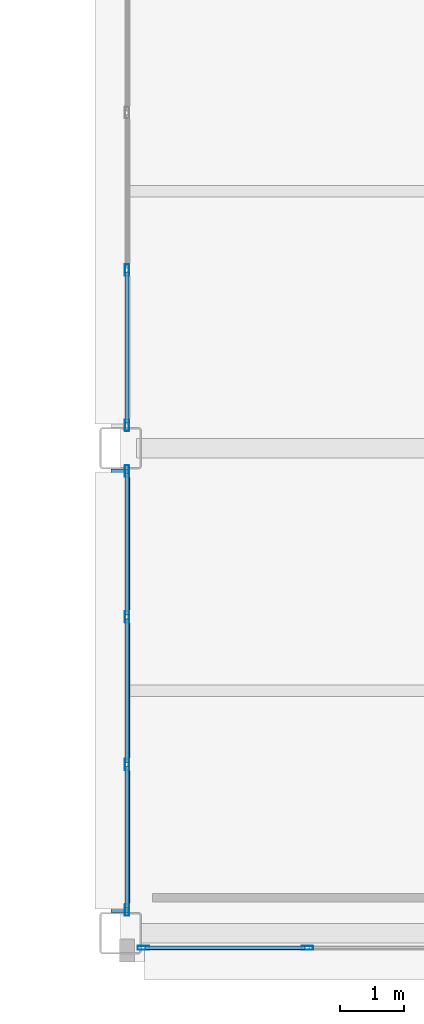
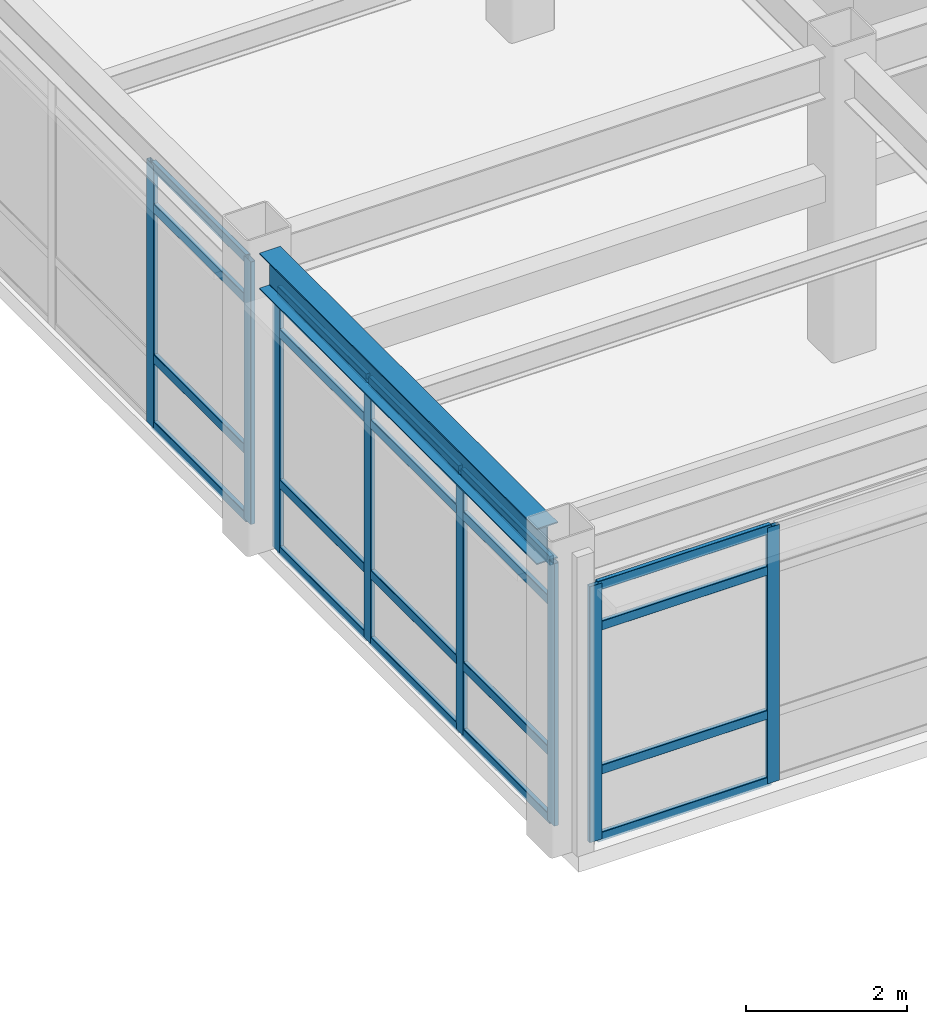
# One storey, part 45 of 93: 28 members, 1 beam, 3 elements without a shape of their own.
"""IFC4 building model written with IfcOpenShell, lengths in metres."""

from ifc_helpers import new_model, si_unit, direction, frame, origin, origin_2d, place, context, subcontext, project, spatial, hollow_rectangle, i_section, extrude, material, layer, layer_set, material_profile, profile_set, type_object, element, aggregate, save


model = new_model("IFC4")

# Units and contexts
model_context = context("Model", 3, precision=1e-05, world=origin(), true_north=direction((0.0, 1.0)))
body_context = subcontext(model_context, "Body", "Model", "MODEL_VIEW")
ifc_project = project(units=[si_unit("LENGTHUNIT", "METRE"), si_unit("AREAUNIT", "SQUARE_METRE"), si_unit("VOLUMEUNIT", "CUBIC_METRE"), si_unit("PLANEANGLEUNIT", "RADIAN"), si_unit("MASSUNIT", "GRAM", prefix="KILO")], contexts=[model_context])

# Site, building, storey
site_placement = place(None, origin())
site = spatial("IfcSite", under=ifc_project, at=site_placement, CompositionType="ELEMENT")
building_placement = place(site_placement, origin())
building = spatial("IfcBuilding", under=site, at=building_placement, Name="Kazehara Bluff Congress Hotel", CompositionType="ELEMENT")
storey_placement = place(building_placement, frame((0.0, 0.0, 15.0)))
storey = spatial("IfcBuildingStorey", under=building, at=storey_placement, Name="L03", CompositionType="ELEMENT", Elevation=15.0)

# Curtain wall, members
ifc_material_1 = material(Name="Anodised aluminium", Category="aluminium")
ifc_layer_1 = layer(ifc_material_1, 0.159912109375)
ifc_layer_set_1 = layer_set([ifc_layer_1], Name="Anodised aluminium")
curtain_wall_type_1 = type_object("IfcCurtainWallType", Name="TP-CW-24", PredefinedType="NOTDEFINED", material=ifc_layer_set_1)
curtain_wall_1_placement = place(storey_placement, origin())
curtain_wall_1 = element("IfcCurtainWall", 1, at=curtain_wall_1_placement, inside=storey, type_object=curtain_wall_type_1, Name="L03 curtain wall CW-24 CW-ENC-V5-L03-14790-22", PredefinedType="NOTDEFINED")
ifc_material_2 = material(Name="Anodised aluminium", Category="aluminium")
ifc_material_profile_1 = material_profile(ifc_material_2, hollow_rectangle(XDim=0.06494140625, YDim=0.179931640625, WallThickness=0.00390625, InnerFilletRadius=0.00390625, OuterFilletRadius=0.008056640625, at=origin_2d()))
ifc_profile_set_1 = profile_set([ifc_material_profile_1], Name="Anodised aluminium")
member_type_1 = type_object("IfcMemberType", Name="TP-CWM-02", PredefinedType="MULLION", material=ifc_profile_set_1)
member_1_placement = place(storey_placement, frame((146.6083984375, 0.219970703125, 0.0), z_axis=(0.0, 0.0, 1.0), x_axis=(0.0, -1.0, 0.0)))
member_1 = element("IfcMember", 2, at=member_1_placement, type_object=member_type_1, Name="CW-24 mullion 3", PredefinedType="MULLION", context=body_context, shape_type="SweptSolid", body=[
    extrude(hollow_rectangle(XDim=0.06494140625, YDim=0.179931640625, WallThickness=0.00390625, InnerFilletRadius=0.00390625, OuterFilletRadius=0.008056640625, at=origin_2d()), origin(), (0.0, 0.0, 1.0), 3.885009765625),
])
member_2_placement = place(storey_placement, frame((144.0576171875, 0.219970703125, 0.0), z_axis=(0.0, 0.0, 1.0), x_axis=(0.0, -1.0, 0.0)))
member_2 = element("IfcMember", 3, at=member_2_placement, type_object=member_type_1, Name="CW-24 mullion 4", PredefinedType="MULLION", context=body_context, shape_type="SweptSolid", body=[
    extrude(hollow_rectangle(XDim=0.06494140625, YDim=0.179931640625, WallThickness=0.00390625, InnerFilletRadius=0.00390625, OuterFilletRadius=0.008056640625, at=origin_2d()), origin(), (0.0, 0.0, 1.0), 3.885009765625),
])

ifc_material_3 = material(Name="Anodised aluminium", Category="aluminium")
ifc_layer_2 = layer(ifc_material_3, 0.159912109375)
ifc_layer_set_2 = layer_set([ifc_layer_2], Name="Anodised aluminium")
curtain_wall_type_2 = type_object("IfcCurtainWallType", Name="TP-CW-152", PredefinedType="NOTDEFINED", material=ifc_layer_set_2)
curtain_wall_2_placement = place(storey_placement, origin())
curtain_wall_2 = element("IfcCurtainWall", 4, at=curtain_wall_2_placement, inside=storey, type_object=curtain_wall_type_2, Name="L03 curtain wall CW-152 CW-ENC-V5-L03-14380-422", PredefinedType="NOTDEFINED")
member_3_placement = place(storey_placement, frame((143.800048828125, 0.8076171875, 0.0), z_axis=(0.0, 0.0, 1.0), x_axis=(-1.0, 0.0, 0.0)))
member_3 = element("IfcMember", 5, at=member_3_placement, type_object=member_type_1, Name="CW-152 mullion 1", PredefinedType="MULLION", context=body_context, shape_type="SweptSolid", body=[
    extrude(hollow_rectangle(XDim=0.06494140625, YDim=0.179931640625, WallThickness=0.00390625, InnerFilletRadius=0.00390625, OuterFilletRadius=0.008056640625, at=origin_2d()), origin(), (0.0, 0.0, 1.0), 3.985107421875),
])
member_4_placement = place(storey_placement, frame((143.800048828125, 3.074951171875, 0.0), z_axis=(0.0, 0.0, 1.0), x_axis=(-1.0, 0.0, 0.0)))
member_4 = element("IfcMember", 6, at=member_4_placement, type_object=member_type_1, Name="CW-152 mullion 2", PredefinedType="MULLION", context=body_context, shape_type="SweptSolid", body=[
    extrude(hollow_rectangle(XDim=0.06494140625, YDim=0.179931640625, WallThickness=0.00390625, InnerFilletRadius=0.00390625, OuterFilletRadius=0.008056640625, at=origin_2d()), origin(), (0.0, 0.0, 1.0), 3.985107421875),
])
member_5_placement = place(storey_placement, frame((143.800048828125, 5.375, 0.0), z_axis=(0.0, 0.0, 1.0), x_axis=(-1.0, 0.0, 0.0)))
member_5 = element("IfcMember", 7, at=member_5_placement, type_object=member_type_1, Name="CW-152 mullion 3", PredefinedType="MULLION", context=body_context, shape_type="SweptSolid", body=[
    extrude(hollow_rectangle(XDim=0.06494140625, YDim=0.179931640625, WallThickness=0.00390625, InnerFilletRadius=0.00390625, OuterFilletRadius=0.008056640625, at=origin_2d()), origin(), (0.0, 0.0, 1.0), 3.985107421875),
])
member_6_placement = place(storey_placement, frame((143.800048828125, 7.642578125, 0.0), z_axis=(0.0, 0.0, 1.0), x_axis=(-1.0, 0.0, 0.0)))
member_6 = element("IfcMember", 8, at=member_6_placement, type_object=member_type_1, Name="CW-152 mullion 4", PredefinedType="MULLION", context=body_context, shape_type="SweptSolid", body=[
    extrude(hollow_rectangle(XDim=0.06494140625, YDim=0.179931640625, WallThickness=0.00390625, InnerFilletRadius=0.00390625, OuterFilletRadius=0.008056640625, at=origin_2d()), origin(), (0.0, 0.0, 1.0), 3.985107421875),
])

ifc_material_4 = material(Name="Anodised aluminium", Category="aluminium")
ifc_layer_3 = layer(ifc_material_4, 0.159912109375)
ifc_layer_set_3 = layer_set([ifc_layer_3], Name="Anodised aluminium")
curtain_wall_type_3 = type_object("IfcCurtainWallType", Name="TP-CW-153", PredefinedType="NOTDEFINED", material=ifc_layer_set_3)
curtain_wall_3_placement = place(storey_placement, origin())
curtain_wall_3 = element("IfcCurtainWall", 9, at=curtain_wall_3_placement, inside=storey, type_object=curtain_wall_type_3, Name="L03 curtain wall CW-153 CW-ENC-V5-L03-14380-1200", PredefinedType="NOTDEFINED")
member_7_placement = place(storey_placement, frame((143.800048828125, 8.357421875, 0.0), z_axis=(0.0, 0.0, 1.0), x_axis=(-1.0, 0.0, 0.0)))
member_7 = element("IfcMember", 10, at=member_7_placement, type_object=member_type_1, Name="CW-153 mullion 1", PredefinedType="MULLION", context=body_context, shape_type="SweptSolid", body=[
    extrude(hollow_rectangle(XDim=0.06494140625, YDim=0.179931640625, WallThickness=0.00390625, InnerFilletRadius=0.00390625, OuterFilletRadius=0.008056640625, at=origin_2d()), origin(), (0.0, 0.0, 1.0), 3.985107421875),
])
member_8_placement = place(storey_placement, frame((143.800048828125, 10.77490234375, 0.0), z_axis=(0.0, 0.0, 1.0), x_axis=(-1.0, 0.0, 0.0)))
member_8 = element("IfcMember", 11, at=member_8_placement, type_object=member_type_1, Name="CW-153 mullion 2", PredefinedType="MULLION", context=body_context, shape_type="SweptSolid", body=[
    extrude(hollow_rectangle(XDim=0.06494140625, YDim=0.179931640625, WallThickness=0.00390625, InnerFilletRadius=0.00390625, OuterFilletRadius=0.008056640625, at=origin_2d()), origin(), (0.0, 0.0, 1.0), 3.985107421875),
])

# Member
ifc_material_5 = material(Name="Anodised aluminium", Category="aluminium")
ifc_material_profile_2 = material_profile(ifc_material_5, hollow_rectangle(XDim=0.06494140625, YDim=0.139892578125, WallThickness=0.00390625, InnerFilletRadius=0.00390625, OuterFilletRadius=0.008056640625, at=origin_2d()))
ifc_profile_set_2 = profile_set([ifc_material_profile_2], Name="Anodised aluminium")
member_type_2 = type_object("IfcMemberType", Name="TP-CWT-02", PredefinedType="USERDEFINED", material=ifc_profile_set_2)
member_9_placement = place(storey_placement, frame((146.575927734375, 0.219970703125, 0.032470703125), z_axis=(-1.0, 0.0, 0.0), x_axis=(0.0, -1.0, 0.0)))
member_9 = element("IfcMember", 12, at=member_9_placement, type_object=member_type_2, Name="CW-24 transom 3.1", ObjectType="TRANSOM", PredefinedType="USERDEFINED", context=body_context, shape_type="SweptSolid", body=[
    extrude(hollow_rectangle(XDim=0.06494140625, YDim=0.139892578125, WallThickness=0.00390625, InnerFilletRadius=0.00390625, OuterFilletRadius=0.008056640625, at=origin_2d()), origin(), (0.0, 0.0, 1.0), 2.48583984375),
])

member_10_placement = place(storey_placement, frame((146.575927734375, 0.219970703125, 1.050048828125), z_axis=(-1.0, 0.0, 0.0), x_axis=(0.0, -1.0, 0.0)))
member_10 = element("IfcMember", 13, at=member_10_placement, type_object=member_type_2, Name="CW-24 transom 3.2", ObjectType="TRANSOM", PredefinedType="USERDEFINED", context=body_context, shape_type="SweptSolid", body=[
    extrude(hollow_rectangle(XDim=0.06494140625, YDim=0.139892578125, WallThickness=0.00390625, InnerFilletRadius=0.00390625, OuterFilletRadius=0.008056640625, at=origin_2d()), origin(), (0.0, 0.0, 1.0), 2.48583984375),
])

member_11_placement = place(storey_placement, frame((146.575927734375, 0.219970703125, 3.235107421875), z_axis=(-1.0, 0.0, 0.0), x_axis=(0.0, -1.0, 0.0)))
member_11 = element("IfcMember", 14, at=member_11_placement, type_object=member_type_2, Name="CW-24 transom 3.3", ObjectType="TRANSOM", PredefinedType="USERDEFINED", context=body_context, shape_type="SweptSolid", body=[
    extrude(hollow_rectangle(XDim=0.06494140625, YDim=0.139892578125, WallThickness=0.00390625, InnerFilletRadius=0.00390625, OuterFilletRadius=0.008056640625, at=origin_2d()), origin(), (0.0, 0.0, 1.0), 2.48583984375),
])

member_12_placement = place(storey_placement, frame((146.575927734375, 0.219970703125, 3.8525390625), z_axis=(-1.0, 0.0, 0.0), x_axis=(0.0, -1.0, 0.0)))
member_12 = element("IfcMember", 15, at=member_12_placement, type_object=member_type_2, Name="CW-24 transom 3.4", ObjectType="TRANSOM", PredefinedType="USERDEFINED", context=body_context, shape_type="SweptSolid", body=[
    extrude(hollow_rectangle(XDim=0.06494140625, YDim=0.139892578125, WallThickness=0.00390625, InnerFilletRadius=0.00390625, OuterFilletRadius=0.008056640625, at=origin_2d()), origin(), (0.0, 0.0, 1.0), 2.48583984375),
])

aggregate(curtain_wall_1, [member_1, member_2, member_9, member_10, member_11, member_12])

member_13_placement = place(storey_placement, frame((143.800048828125, 0.840087890625, 0.032470703125), z_axis=(0.0, 1.0, 0.0), x_axis=(-1.0, 0.0, 0.0)))
member_13 = element("IfcMember", 16, at=member_13_placement, type_object=member_type_2, Name="CW-152 transom 1.1", ObjectType="TRANSOM", PredefinedType="USERDEFINED", context=body_context, shape_type="SweptSolid", body=[
    extrude(hollow_rectangle(XDim=0.06494140625, YDim=0.139892578125, WallThickness=0.00390625, InnerFilletRadius=0.00390625, OuterFilletRadius=0.008056640625, at=origin_2d()), origin(), (0.0, 0.0, 1.0), 2.202392578125),
])

member_14_placement = place(storey_placement, frame((143.800048828125, 0.840087890625, 1.050048828125), z_axis=(0.0, 1.0, 0.0), x_axis=(-1.0, 0.0, 0.0)))
member_14 = element("IfcMember", 17, at=member_14_placement, type_object=member_type_2, Name="CW-152 transom 1.2", ObjectType="TRANSOM", PredefinedType="USERDEFINED", context=body_context, shape_type="SweptSolid", body=[
    extrude(hollow_rectangle(XDim=0.06494140625, YDim=0.139892578125, WallThickness=0.00390625, InnerFilletRadius=0.00390625, OuterFilletRadius=0.008056640625, at=origin_2d()), origin(), (0.0, 0.0, 1.0), 2.202392578125),
])

member_15_placement = place(storey_placement, frame((143.800048828125, 0.840087890625, 3.3349609375), z_axis=(0.0, 1.0, 0.0), x_axis=(-1.0, 0.0, 0.0)))
member_15 = element("IfcMember", 18, at=member_15_placement, type_object=member_type_2, Name="CW-152 transom 1.3", ObjectType="TRANSOM", PredefinedType="USERDEFINED", context=body_context, shape_type="SweptSolid", body=[
    extrude(hollow_rectangle(XDim=0.06494140625, YDim=0.139892578125, WallThickness=0.00390625, InnerFilletRadius=0.00390625, OuterFilletRadius=0.008056640625, at=origin_2d()), origin(), (0.0, 0.0, 1.0), 2.202392578125),
])

member_16_placement = place(storey_placement, frame((143.800048828125, 0.840087890625, 3.952392578125), z_axis=(0.0, 1.0, 0.0), x_axis=(-1.0, 0.0, 0.0)))
member_16 = element("IfcMember", 19, at=member_16_placement, type_object=member_type_2, Name="CW-152 transom 1.4", ObjectType="TRANSOM", PredefinedType="USERDEFINED", context=body_context, shape_type="SweptSolid", body=[
    extrude(hollow_rectangle(XDim=0.06494140625, YDim=0.139892578125, WallThickness=0.00390625, InnerFilletRadius=0.00390625, OuterFilletRadius=0.008056640625, at=origin_2d()), origin(), (0.0, 0.0, 1.0), 2.202392578125),
])

member_17_placement = place(storey_placement, frame((143.800048828125, 3.107421875, 0.032470703125), z_axis=(0.0, 1.0, 0.0), x_axis=(-1.0, 0.0, 0.0)))
member_17 = element("IfcMember", 20, at=member_17_placement, type_object=member_type_2, Name="CW-152 transom 2.1", ObjectType="TRANSOM", PredefinedType="USERDEFINED", context=body_context, shape_type="SweptSolid", body=[
    extrude(hollow_rectangle(XDim=0.06494140625, YDim=0.139892578125, WallThickness=0.00390625, InnerFilletRadius=0.00390625, OuterFilletRadius=0.008056640625, at=origin_2d()), origin(), (0.0, 0.0, 1.0), 2.235107421875),
])

member_18_placement = place(storey_placement, frame((143.800048828125, 3.107421875, 1.050048828125), z_axis=(0.0, 1.0, 0.0), x_axis=(-1.0, 0.0, 0.0)))
member_18 = element("IfcMember", 21, at=member_18_placement, type_object=member_type_2, Name="CW-152 transom 2.2", ObjectType="TRANSOM", PredefinedType="USERDEFINED", context=body_context, shape_type="SweptSolid", body=[
    extrude(hollow_rectangle(XDim=0.06494140625, YDim=0.139892578125, WallThickness=0.00390625, InnerFilletRadius=0.00390625, OuterFilletRadius=0.008056640625, at=origin_2d()), origin(), (0.0, 0.0, 1.0), 2.235107421875),
])

member_19_placement = place(storey_placement, frame((143.800048828125, 3.107421875, 3.3349609375), z_axis=(0.0, 1.0, 0.0), x_axis=(-1.0, 0.0, 0.0)))
member_19 = element("IfcMember", 22, at=member_19_placement, type_object=member_type_2, Name="CW-152 transom 2.3", ObjectType="TRANSOM", PredefinedType="USERDEFINED", context=body_context, shape_type="SweptSolid", body=[
    extrude(hollow_rectangle(XDim=0.06494140625, YDim=0.139892578125, WallThickness=0.00390625, InnerFilletRadius=0.00390625, OuterFilletRadius=0.008056640625, at=origin_2d()), origin(), (0.0, 0.0, 1.0), 2.235107421875),
])

member_20_placement = place(storey_placement, frame((143.800048828125, 3.107421875, 3.952392578125), z_axis=(0.0, 1.0, 0.0), x_axis=(-1.0, 0.0, 0.0)))
member_20 = element("IfcMember", 23, at=member_20_placement, type_object=member_type_2, Name="CW-152 transom 2.4", ObjectType="TRANSOM", PredefinedType="USERDEFINED", context=body_context, shape_type="SweptSolid", body=[
    extrude(hollow_rectangle(XDim=0.06494140625, YDim=0.139892578125, WallThickness=0.00390625, InnerFilletRadius=0.00390625, OuterFilletRadius=0.008056640625, at=origin_2d()), origin(), (0.0, 0.0, 1.0), 2.235107421875),
])

member_21_placement = place(storey_placement, frame((143.800048828125, 5.407470703125, 0.032470703125), z_axis=(0.0, 1.0, 0.0), x_axis=(-1.0, 0.0, 0.0)))
member_21 = element("IfcMember", 24, at=member_21_placement, type_object=member_type_2, Name="CW-152 transom 3.1", ObjectType="TRANSOM", PredefinedType="USERDEFINED", context=body_context, shape_type="SweptSolid", body=[
    extrude(hollow_rectangle(XDim=0.06494140625, YDim=0.139892578125, WallThickness=0.00390625, InnerFilletRadius=0.00390625, OuterFilletRadius=0.008056640625, at=origin_2d()), origin(), (0.0, 0.0, 1.0), 2.20263671875),
])

member_22_placement = place(storey_placement, frame((143.800048828125, 5.407470703125, 1.050048828125), z_axis=(0.0, 1.0, 0.0), x_axis=(-1.0, 0.0, 0.0)))
member_22 = element("IfcMember", 25, at=member_22_placement, type_object=member_type_2, Name="CW-152 transom 3.2", ObjectType="TRANSOM", PredefinedType="USERDEFINED", context=body_context, shape_type="SweptSolid", body=[
    extrude(hollow_rectangle(XDim=0.06494140625, YDim=0.139892578125, WallThickness=0.00390625, InnerFilletRadius=0.00390625, OuterFilletRadius=0.008056640625, at=origin_2d()), origin(), (0.0, 0.0, 1.0), 2.20263671875),
])

member_23_placement = place(storey_placement, frame((143.800048828125, 5.407470703125, 3.3349609375), z_axis=(0.0, 1.0, 0.0), x_axis=(-1.0, 0.0, 0.0)))
member_23 = element("IfcMember", 26, at=member_23_placement, type_object=member_type_2, Name="CW-152 transom 3.3", ObjectType="TRANSOM", PredefinedType="USERDEFINED", context=body_context, shape_type="SweptSolid", body=[
    extrude(hollow_rectangle(XDim=0.06494140625, YDim=0.139892578125, WallThickness=0.00390625, InnerFilletRadius=0.00390625, OuterFilletRadius=0.008056640625, at=origin_2d()), origin(), (0.0, 0.0, 1.0), 2.20263671875),
])

member_24_placement = place(storey_placement, frame((143.800048828125, 5.407470703125, 3.952392578125), z_axis=(0.0, 1.0, 0.0), x_axis=(-1.0, 0.0, 0.0)))
member_24 = element("IfcMember", 27, at=member_24_placement, type_object=member_type_2, Name="CW-152 transom 3.4", ObjectType="TRANSOM", PredefinedType="USERDEFINED", context=body_context, shape_type="SweptSolid", body=[
    extrude(hollow_rectangle(XDim=0.06494140625, YDim=0.139892578125, WallThickness=0.00390625, InnerFilletRadius=0.00390625, OuterFilletRadius=0.008056640625, at=origin_2d()), origin(), (0.0, 0.0, 1.0), 2.20263671875),
])

aggregate(curtain_wall_2, [member_3, member_4, member_5, member_6, member_13, member_14, member_15, member_16, member_17, member_18, member_19, member_20, member_21, member_22, member_23, member_24])

member_25_placement = place(storey_placement, frame((143.800048828125, 8.389892578125, 0.032470703125), z_axis=(0.0, 1.0, 0.0), x_axis=(-1.0, 0.0, 0.0)))
member_25 = element("IfcMember", 28, at=member_25_placement, type_object=member_type_2, Name="CW-153 transom 1.1", ObjectType="TRANSOM", PredefinedType="USERDEFINED", context=body_context, shape_type="SweptSolid", body=[
    extrude(hollow_rectangle(XDim=0.06494140625, YDim=0.139892578125, WallThickness=0.00390625, InnerFilletRadius=0.00390625, OuterFilletRadius=0.008056640625, at=origin_2d()), origin(), (0.0, 0.0, 1.0), 2.3525390625),
])

member_26_placement = place(storey_placement, frame((143.800048828125, 8.389892578125, 1.050048828125), z_axis=(0.0, 1.0, 0.0), x_axis=(-1.0, 0.0, 0.0)))
member_26 = element("IfcMember", 29, at=member_26_placement, type_object=member_type_2, Name="CW-153 transom 1.2", ObjectType="TRANSOM", PredefinedType="USERDEFINED", context=body_context, shape_type="SweptSolid", body=[
    extrude(hollow_rectangle(XDim=0.06494140625, YDim=0.139892578125, WallThickness=0.00390625, InnerFilletRadius=0.00390625, OuterFilletRadius=0.008056640625, at=origin_2d()), origin(), (0.0, 0.0, 1.0), 2.3525390625),
])

member_27_placement = place(storey_placement, frame((143.800048828125, 8.389892578125, 3.3349609375), z_axis=(0.0, 1.0, 0.0), x_axis=(-1.0, 0.0, 0.0)))
member_27 = element("IfcMember", 30, at=member_27_placement, type_object=member_type_2, Name="CW-153 transom 1.3", ObjectType="TRANSOM", PredefinedType="USERDEFINED", context=body_context, shape_type="SweptSolid", body=[
    extrude(hollow_rectangle(XDim=0.06494140625, YDim=0.139892578125, WallThickness=0.00390625, InnerFilletRadius=0.00390625, OuterFilletRadius=0.008056640625, at=origin_2d()), origin(), (0.0, 0.0, 1.0), 2.3525390625),
])

member_28_placement = place(storey_placement, frame((143.800048828125, 8.389892578125, 3.952392578125), z_axis=(0.0, 1.0, 0.0), x_axis=(-1.0, 0.0, 0.0)))
member_28 = element("IfcMember", 31, at=member_28_placement, type_object=member_type_2, Name="CW-153 transom 1.4", ObjectType="TRANSOM", PredefinedType="USERDEFINED", context=body_context, shape_type="SweptSolid", body=[
    extrude(hollow_rectangle(XDim=0.06494140625, YDim=0.139892578125, WallThickness=0.00390625, InnerFilletRadius=0.00390625, OuterFilletRadius=0.008056640625, at=origin_2d()), origin(), (0.0, 0.0, 1.0), 2.3525390625),
])

aggregate(curtain_wall_3, [member_7, member_8, member_25, member_26, member_27, member_28])

# Beam
ifc_material_6 = material(Name="Steel SN490B", Category="steel")
ifc_material_profile_3 = material_profile(ifc_material_6, i_section(OverallWidth=0.300048828125, OverallDepth=0.550048828125, WebThickness=0.010986328125, FlangeThickness=0.01806640625, FilletRadius=0.012939453125, at=origin_2d()))
ifc_profile_set_3 = profile_set([ifc_material_profile_3], Name="Steel SN490B")
beam_type = type_object("IfcBeamType", Name="TP-SP-01", PredefinedType="SPANDREL", material=ifc_profile_set_3)
beam_placement = place(storey_placement, frame((143.699951171875, 0.77490234375, 4.284912109375), z_axis=(0.0, 1.0, 0.0), x_axis=(-1.0, 0.0, 0.0)))
element("IfcBeam", 32, at=beam_placement, inside=storey, type_object=beam_type, Name="L03 girder SP-01 109", PredefinedType="SPANDREL", context=body_context, shape_type="SweptSolid", body=[
    extrude(i_section(OverallWidth=0.300048828125, OverallDepth=0.550048828125, WebThickness=0.010986328125, FlangeThickness=0.01806640625, FilletRadius=0.012939453125, at=origin_2d()), origin(), (0.0, 0.0, 1.0), 6.900146484375),
])

save(model, "model.ifc")
